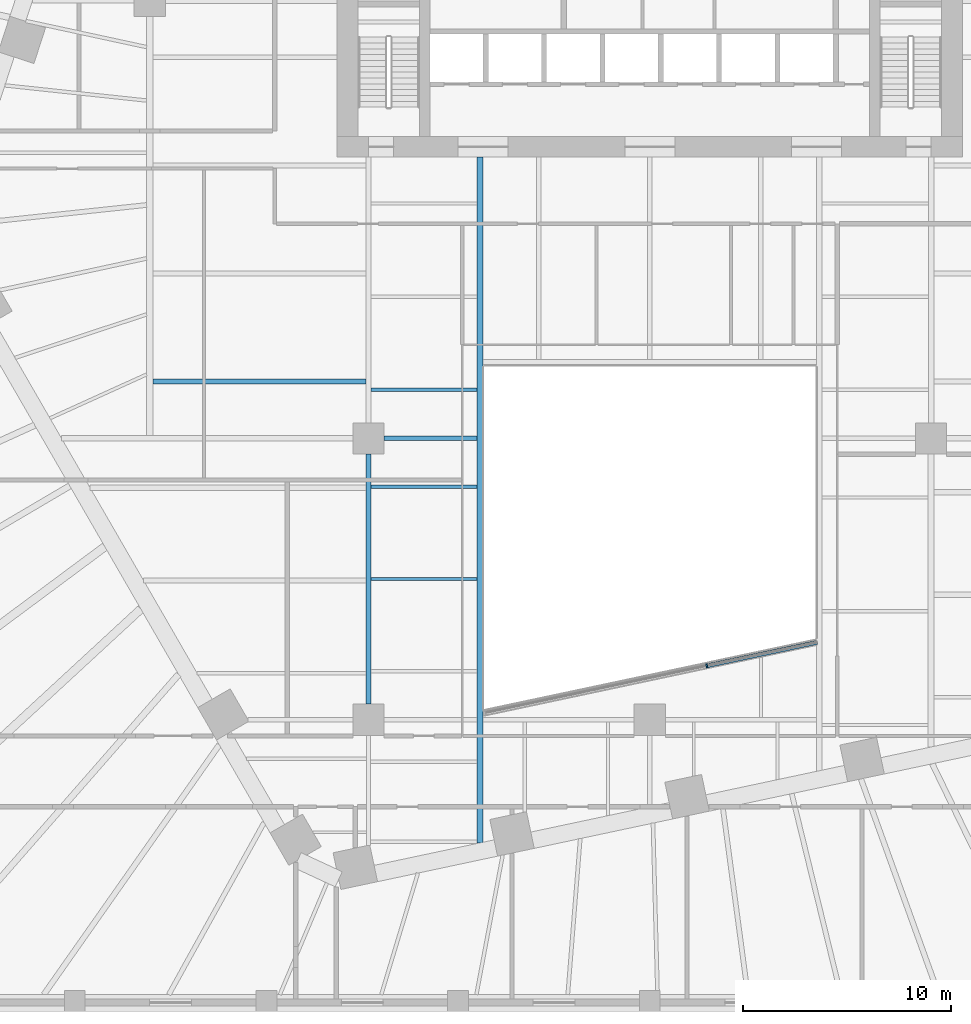
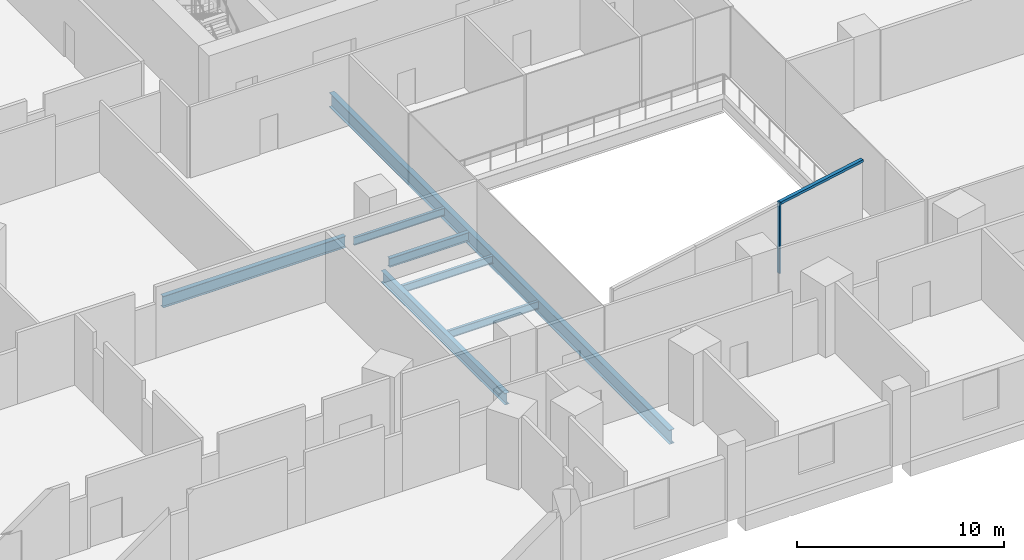
# One storey, part 3 of 29: 7 beams, 2 members, 1 element without a shape of its own.
"""IFC4 building model written with IfcOpenShell, lengths in metres."""

from ifc_helpers import new_model, si_unit, direction, frame, origin, origin_2d, place, context, subcontext, project, spatial, rectangle, i_section, extrude, material, layer, layer_set, material_profile, profile_set, type_object, element, aggregate, save


model = new_model("IFC4")

# Units and contexts
model_context = context("Model", 3, precision=1e-05, world=origin(), true_north=direction((0.0, 1.0)))
body_context = subcontext(model_context, "Body", "Model", "MODEL_VIEW")
ifc_project = project(units=[si_unit("LENGTHUNIT", "METRE"), si_unit("AREAUNIT", "SQUARE_METRE"), si_unit("VOLUMEUNIT", "CUBIC_METRE"), si_unit("PLANEANGLEUNIT", "RADIAN"), si_unit("MASSUNIT", "GRAM", prefix="KILO")], contexts=[model_context])

# Site, building, storey
site_placement = place(None, origin())
site = spatial("IfcSite", under=ifc_project, at=site_placement, CompositionType="ELEMENT")
building_placement = place(site_placement, origin())
building = spatial("IfcBuilding", under=site, at=building_placement, Name="Isthmus Gate Tower", CompositionType="ELEMENT")
storey_placement = place(building_placement, frame((0.0, 0.0, 27.0)))
storey = spatial("IfcBuildingStorey", under=building, at=storey_placement, Name="L04", CompositionType="ELEMENT", Elevation=27.0)

# Curtain wall, members
ifc_material_1 = material(Name="Aluminium, pale champagne anodised", Category="aluminium")
ifc_layer = layer(ifc_material_1, 0.199951171875)
ifc_layer_set = layer_set([ifc_layer], Name="CW-4 ATRIUM CURTAIN WALL 200 DEEP")
curtain_wall_type = type_object("IfcCurtainWallType", Name="CW-4 ATRIUM CURTAIN WALL 200 DEEP", PredefinedType="NOTDEFINED", material=ifc_layer_set)
curtain_wall_placement = place(storey_placement, origin())
curtain_wall = element("IfcCurtainWall", 1, at=curtain_wall_placement, inside=storey, type_object=curtain_wall_type, Name="CW-4 atrium south L04", PredefinedType="NOTDEFINED")
ifc_material_2 = material(Name="Aluminium, pale champagne anodised", Category="aluminium")
ifc_material_profile_1 = material_profile(ifc_material_2, rectangle(XDim=0.080078125, YDim=0.199951171875, at=origin_2d()), Name="80x200")
ifc_profile_set_1 = profile_set([ifc_material_profile_1], Name="Aluminium, pale champagne anodised")
member_type_1 = type_object("IfcMemberType", Name="CW-4 MULLION 80 X 200", PredefinedType="MULLION", material=ifc_profile_set_1)
member_1_placement = place(storey_placement, frame((2.737060546875, -24.415283203125, 0.0), z_axis=(0.0, 0.0, 1.0), x_axis=(0.978147600734, 0.207911690818, 0.0)))
member_1 = element("IfcMember", 2, at=member_1_placement, type_object=member_type_1, Name="CW-4 mullion", PredefinedType="MULLION", context=body_context, shape_type="SweptSolid", body=[
    extrude(rectangle(XDim=0.080078125, YDim=0.199951171875, at=origin_2d()), origin(), (0.0, 0.0, 1.0), 4.199951171875),
])
ifc_material_3 = material(Name="Aluminium, pale champagne anodised", Category="aluminium")
ifc_material_profile_2 = material_profile(ifc_material_3, rectangle(XDim=0.199951171875, YDim=0.14990234375, at=origin_2d()), Name="200x150")
ifc_profile_set_2 = profile_set([ifc_material_profile_2], Name="Aluminium, pale champagne anodised")
member_type_2 = type_object("IfcMemberType", Name="CW-4 TRANSOM 200 X 150", PredefinedType="USERDEFINED", material=ifc_profile_set_2)
member_2_placement = place(storey_placement, frame((2.776123046875, -24.406982421875, 4.125), z_axis=(0.978140946274, 0.207942995129, 0.0), x_axis=(-0.207942995129, 0.978140946274, 0.0)))
member_2 = element("IfcMember", 3, at=member_2_placement, type_object=member_type_2, Name="CW-4 transom", ObjectType="TRANSOM", PredefinedType="USERDEFINED", context=body_context, shape_type="SweptSolid", body=[
    extrude(rectangle(XDim=0.199951171875, YDim=0.14990234375, at=origin_2d()), origin(), (0.0, 0.0, 1.0), 5.37255859375),
])
aggregate(curtain_wall, [member_1, member_2])

# Beams
ifc_material_4 = material(Name="Structural steel ASTM A992 Gr 50", Category="steel")
ifc_material_profile_3 = material_profile(ifc_material_4, i_section(OverallWidth=0.15234375, OverallDepth=0.45068359375, WebThickness=0.0078125, FlangeThickness=0.010986328125, at=origin_2d()), Name="W18X35")
ifc_profile_set_3 = profile_set([ifc_material_profile_3], Name="Structural steel ASTM A992 Gr 50")
beam_type_1 = type_object("IfcBeamType", Name="STEEL FLOOR BEAM W18X35", PredefinedType="JOIST", material=ifc_profile_set_3)
beam_1_placement = place(storey_placement, frame((-13.3681640625, -11.16259765625, -0.525390625), z_axis=(1.0, 0.0, 0.0), x_axis=(0.0, 1.0, 0.0)))
element("IfcBeam", 4, at=beam_1_placement, inside=storey, type_object=beam_type_1, Name="str-beam-L04-13-00", PredefinedType="JOIST", context=body_context, shape_type="SweptSolid", body=[
    extrude(i_section(OverallWidth=0.15234375, OverallDepth=0.45068359375, WebThickness=0.0078125, FlangeThickness=0.010986328125, at=origin_2d()), origin(), (0.0, 0.0, 1.0), 5.076171875),
])
for number, where, z_axis, x_axis, name in (
    (5, (-13.373046875, -20.25, -0.525390625), (1.0, 0.0, 0.0), (0.0, 1.0, 0.0), "str-beam-L04-14-01"),
    (6, (-13.373046875, -15.81982421875, -0.525390625), (1.0, 0.0, 0.0), (0.0, 1.0, 0.0), "str-beam-L04-14-02"),
):
    element("IfcBeam", number, at=place(storey_placement, frame(where, z_axis=z_axis, x_axis=x_axis)), inside=storey, type_object=beam_type_1, Name=name, PredefinedType="JOIST", context=body_context, shape_type="SweptSolid", body=[
        extrude(i_section(OverallWidth=0.15234375, OverallDepth=0.45068359375, WebThickness=0.0078125, FlangeThickness=0.010986328125, at=origin_2d()), origin(), (0.0, 0.0, 1.0), 5.0810546875),
    ])
ifc_material_5 = material(Name="Structural steel ASTM A992 Gr 50", Category="steel")
ifc_material_profile_4 = material_profile(ifc_material_5, i_section(OverallWidth=0.25390625, OverallDepth=0.679443359375, WebThickness=0.010986328125, FlangeThickness=0.015869140625, at=origin_2d()), Name="W27X84")
ifc_profile_set_4 = profile_set([ifc_material_profile_4], Name="Structural steel ASTM A992 Gr 50")
beam_type_2 = type_object("IfcBeamType", Name="STEEL FLOOR BEAM W27X84", PredefinedType="JOIST", material=ifc_profile_set_4)
beam_2_placement = place(storey_placement, frame((-23.84765625, -10.772705078125, -0.6396484375), z_axis=(1.0, 0.0, 0.0), x_axis=(0.0, 1.0, 0.0)))
element("IfcBeam", 7, at=beam_2_placement, inside=storey, type_object=beam_type_2, Name="str-beam-L04-08-00", PredefinedType="JOIST", context=body_context, shape_type="SweptSolid", body=[
    extrude(i_section(OverallWidth=0.25390625, OverallDepth=0.679443359375, WebThickness=0.010986328125, FlangeThickness=0.015869140625, at=origin_2d()), origin(), (0.0, 0.0, 1.0), 10.2158203125),
])
ifc_material_6 = material(Name="Structural steel ASTM A992 Gr 50", Category="steel")
ifc_material_profile_5 = material_profile(ifc_material_6, i_section(OverallWidth=0.20947265625, OverallDepth=0.533447265625, WebThickness=0.009521484375, FlangeThickness=0.015869140625, at=origin_2d()), Name="W21X62")
ifc_profile_set_5 = profile_set([ifc_material_profile_5], Name="Structural steel ASTM A992 Gr 50")
beam_type_3 = type_object("IfcBeamType", Name="STEEL GIRDER W21X62", PredefinedType="BEAM", material=ifc_profile_set_5)
beam_3_placement = place(storey_placement, frame((-12.75, -13.5, -0.566650390625), z_axis=(1.0, 0.0, 0.0), x_axis=(0.0, 1.0, 0.0)))
element("IfcBeam", 8, at=beam_3_placement, inside=storey, type_object=beam_type_3, Name="str-girder-L04-06", PredefinedType="BEAM", context=body_context, shape_type="SweptSolid", body=[
    extrude(i_section(OverallWidth=0.20947265625, OverallDepth=0.533447265625, WebThickness=0.009521484375, FlangeThickness=0.015869140625, at=origin_2d()), origin(), (0.0, 0.0, 1.0), 4.4580078125),
])
ifc_material_7 = material(Name="Structural steel ASTM A992 Gr 50", Category="steel")
ifc_material_profile_6 = material_profile(ifc_material_7, i_section(OverallWidth=0.25390625, OverallDepth=0.679443359375, WebThickness=0.010986328125, FlangeThickness=0.015869140625, at=origin_2d()), Name="W27X84")
ifc_profile_set_6 = profile_set([ifc_material_profile_6], Name="Structural steel ASTM A992 Gr 50")
beam_type_4 = type_object("IfcBeamType", Name="STEEL GIRDER W27X84", PredefinedType="BEAM", material=ifc_profile_set_6)
beam_4_placement = place(storey_placement, frame((-13.5, -26.25, -0.6396484375), z_axis=(0.0, 1.0, 0.0), x_axis=(-1.0, 0.0, 0.0)))
element("IfcBeam", 9, at=beam_4_placement, inside=storey, type_object=beam_type_4, Name="str-girder-L04-24", PredefinedType="BEAM", context=body_context, shape_type="SweptSolid", body=[
    extrude(i_section(OverallWidth=0.25390625, OverallDepth=0.679443359375, WebThickness=0.010986328125, FlangeThickness=0.015869140625, at=origin_2d()), origin(), (0.0, 0.0, 1.0), 12.0),
])
ifc_material_8 = material(Name="Structural steel ASTM A992 Gr 50", Category="steel")
ifc_material_profile_7 = material_profile(ifc_material_8, i_section(OverallWidth=0.2919921875, OverallDepth=0.8349609375, WebThickness=0.014404296875, FlangeThickness=0.01904296875, at=origin_2d()), Name="W33X118")
ifc_profile_set_7 = profile_set([ifc_material_profile_7], Name="Structural steel ASTM A992 Gr 50")
beam_type_5 = type_object("IfcBeamType", Name="STEEL TRIMMER W33X118", PredefinedType="BEAM", material=ifc_profile_set_7)
beam_5_placement = place(storey_placement, frame((-8.14599609375, 0.0, -0.717529296875), z_axis=(0.0, -1.0, 0.0), x_axis=(1.0, 0.0, 0.0)))
element("IfcBeam", 10, at=beam_5_placement, inside=storey, type_object=beam_type_5, Name="str-trimmer-L04-02", PredefinedType="BEAM", context=body_context, shape_type="SweptSolid", body=[
    extrude(i_section(OverallWidth=0.2919921875, OverallDepth=0.8349609375, WebThickness=0.014404296875, FlangeThickness=0.01904296875, at=origin_2d()), origin(), (0.0, 0.0, 1.0), 32.91357421875),
])

save(model, "model.ifc")
